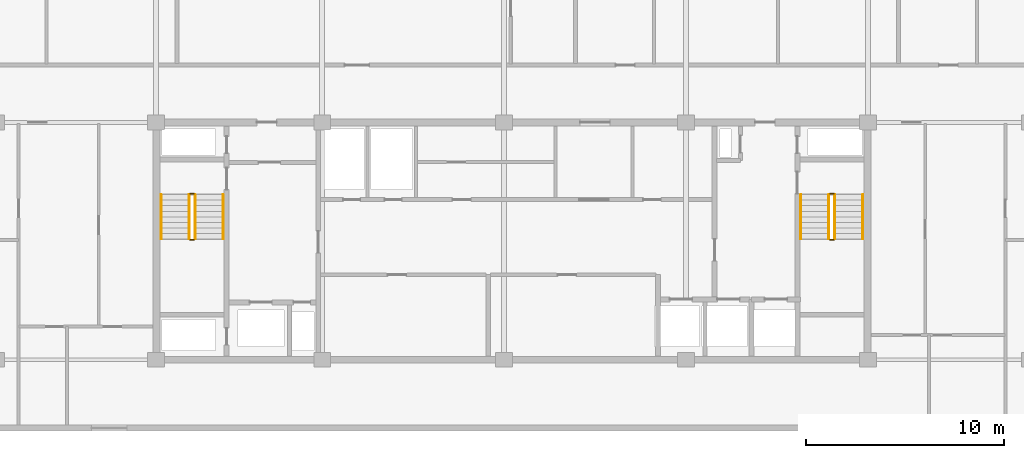
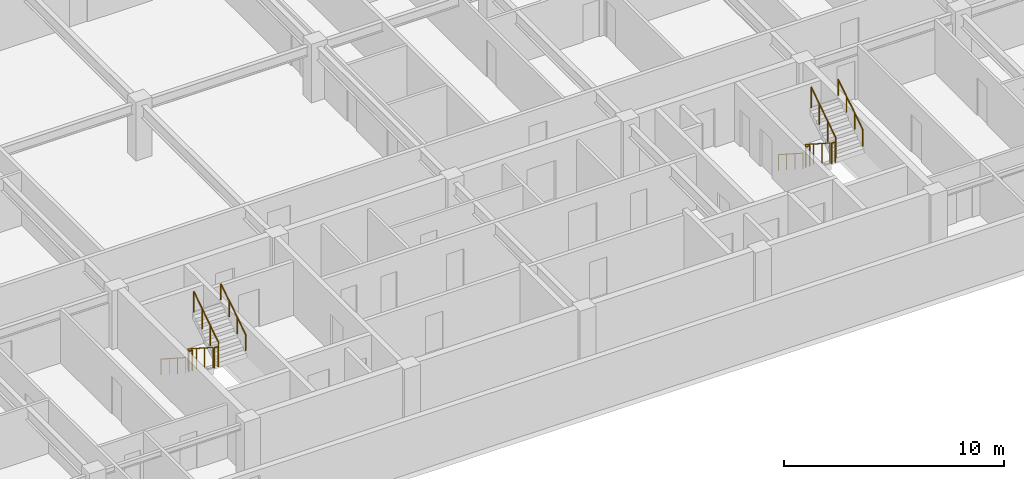
# One storey, part 9 of 10: 12 railings.
"""IFC4 building model written with IfcOpenShell, lengths in metres."""

from ifc_helpers import new_model, si_unit, direction, frame, origin, origin_2d, place, context, subcontext, project, spatial, circle, extrude, material, type_object, element, save


model = new_model("IFC4")

# Units and contexts
model_context = context("Model", 3, precision=1e-05, world=origin(), true_north=direction((0.0, 1.0)))
body_context = subcontext(model_context, "Body", "Model", "MODEL_VIEW")
ifc_project = project(units=[si_unit("LENGTHUNIT", "METRE"), si_unit("AREAUNIT", "SQUARE_METRE"), si_unit("VOLUMEUNIT", "CUBIC_METRE"), si_unit("PLANEANGLEUNIT", "RADIAN"), si_unit("MASSUNIT", "GRAM", prefix="KILO")], contexts=[model_context])

# Site, building, storey
site_placement = place(None, origin())
site = spatial("IfcSite", under=ifc_project, at=site_placement, CompositionType="ELEMENT")
building_placement = place(site_placement, origin())
building = spatial("IfcBuilding", under=site, at=building_placement, Name="Korimba Cascade Residences", CompositionType="ELEMENT")
storey_placement = place(building_placement, frame((0.0, 0.0, 214.10009765625)))
storey = spatial("IfcBuildingStorey", under=building, at=storey_placement, Name="L62", CompositionType="ELEMENT", Elevation=214.10009765625)

# Railings
ifc_material_1 = material(Name="Painted Steel Stairwell Guardrail", Category="steel")
railing_type_1 = type_object("IfcRailingType", Name="RLG-ST-GD1150", PredefinedType="GUARDRAIL", material=ifc_material_1)
railing_1_placement = place(storey_placement, frame((77.77001953125, 63.550048828125, 0.180419921875)))
element("IfcRailing", 1, at=railing_1_placement, inside=storey, type_object=railing_type_1, Name="L62 ST-W1 stair guard 1", PredefinedType="GUARDRAIL", context=body_context, shape_type="SweptSolid", body=[
    extrude(circle(Radius=0.02392578125, at=origin_2d()), frame((0.0, 0.0, 1.1259765625), z_axis=(0.0, -0.840394893359, 0.541974559565), x_axis=(1.0, 0.0, 0.0)), (0.0, 0.0, 1.0), 2.665283203125),
    extrude(circle(Radius=0.02099609375, at=origin_2d()), origin(), (0.0, 0.0, 1.0), 1.101806640625),
    extrude(circle(Radius=0.02099609375, at=origin_2d()), frame((0.0, -0.74658203125, 0.4814453125)), (0.0, 0.0, 1.0), 1.101806640625),
    extrude(circle(Radius=0.02099609375, at=origin_2d()), frame((0.0, -1.493408203125, 0.963134765625)), (0.0, 0.0, 1.0), 1.101806640625),
    extrude(circle(Radius=0.02099609375, at=origin_2d()), frame((0.0, -2.239990234375, 1.444580078125)), (0.0, 0.0, 1.0), 1.101806640625),
])
railing_2_placement = place(storey_placement, frame((77.820068359375, 61.260009765625, 1.625)))
element("IfcRailing", 2, at=railing_2_placement, inside=storey, type_object=railing_type_1, Name="L62 ST-W1 stair guard 2", PredefinedType="GUARDRAIL", context=body_context, shape_type="SweptSolid", body=[
    extrude(circle(Radius=0.02392578125, at=origin_2d()), frame((0.0, 0.0, 1.1259765625), z_axis=(1.0, 0.0, 0.0), x_axis=(0.0, 1.0, 0.0)), (0.0, 0.0, 1.0), 0.199951171875),
    extrude(circle(Radius=0.02099609375, at=origin_2d()), origin(), (0.0, 0.0, 1.0), 1.101806640625),
    extrude(circle(Radius=0.02099609375, at=origin_2d()), frame((0.199951171875, 0.0, 0.0)), (0.0, 0.0, 1.0), 1.101806640625),
])
railing_3_placement = place(storey_placement, frame((78.070068359375, 61.31005859375, 1.805419921875)))
element("IfcRailing", 3, at=railing_3_placement, inside=storey, type_object=railing_type_1, Name="L62 ST-W1 stair guard 3", PredefinedType="GUARDRAIL", context=body_context, shape_type="SweptSolid", body=[
    extrude(circle(Radius=0.02392578125, at=origin_2d()), frame((0.0, 0.0, 1.1259765625), z_axis=(0.0, 0.840394893359, 0.541974559565), x_axis=(-1.0, 0.0, 0.0)), (0.0, 0.0, 1.0), 2.665283203125),
    extrude(circle(Radius=0.02099609375, at=origin_2d()), origin(), (0.0, 0.0, 1.0), 1.101806640625),
    extrude(circle(Radius=0.02099609375, at=origin_2d()), frame((0.0, 0.74658203125, 0.4814453125)), (0.0, 0.0, 1.0), 1.101806640625),
    extrude(circle(Radius=0.02099609375, at=origin_2d()), frame((0.0, 1.493408203125, 0.963134765625)), (0.0, 0.0, 1.0), 1.101806640625),
    extrude(circle(Radius=0.02099609375, at=origin_2d()), frame((0.0, 2.239990234375, 1.444580078125)), (0.0, 0.0, 1.0), 1.101806640625),
])
railing_4_placement = place(storey_placement, frame((77.820068359375, 63.60009765625, 0.0)))
element("IfcRailing", 4, at=railing_4_placement, inside=storey, type_object=railing_type_1, Name="L62 ST-W1 stair guard 4", PredefinedType="GUARDRAIL", context=body_context, shape_type="SweptSolid", body=[
    extrude(circle(Radius=0.02392578125, at=origin_2d()), frame((0.0, 0.0, 1.1259765625), z_axis=(1.0, 0.0, 0.0), x_axis=(0.0, 1.0, 0.0)), (0.0, 0.0, 1.0), 0.199951171875),
    extrude(circle(Radius=0.02099609375, at=origin_2d()), origin(), (0.0, 0.0, 1.0), 1.101806640625),
    extrude(circle(Radius=0.02099609375, at=origin_2d()), frame((0.199951171875, 0.0, 0.0)), (0.0, 0.0, 1.0), 1.101806640625),
])
railing_5_placement = place(storey_placement, frame((110.1298828125, 63.550048828125, 0.180419921875)))
element("IfcRailing", 5, at=railing_5_placement, inside=storey, type_object=railing_type_1, Name="L62 ST-W2 stair guard 1", PredefinedType="GUARDRAIL", context=body_context, shape_type="SweptSolid", body=[
    extrude(circle(Radius=0.02392578125, at=origin_2d()), frame((0.0, 0.0, 1.1259765625), z_axis=(0.0, -0.840394893359, 0.541974559565), x_axis=(1.0, 0.0, 0.0)), (0.0, 0.0, 1.0), 2.665283203125),
    extrude(circle(Radius=0.02099609375, at=origin_2d()), origin(), (0.0, 0.0, 1.0), 1.101806640625),
    extrude(circle(Radius=0.02099609375, at=origin_2d()), frame((0.0, -0.74658203125, 0.4814453125)), (0.0, 0.0, 1.0), 1.101806640625),
    extrude(circle(Radius=0.02099609375, at=origin_2d()), frame((0.0, -1.493408203125, 0.963134765625)), (0.0, 0.0, 1.0), 1.101806640625),
    extrude(circle(Radius=0.02099609375, at=origin_2d()), frame((0.0, -2.239990234375, 1.444580078125)), (0.0, 0.0, 1.0), 1.101806640625),
])
railing_6_placement = place(storey_placement, frame((110.179931640625, 61.260009765625, 1.625)))
element("IfcRailing", 6, at=railing_6_placement, inside=storey, type_object=railing_type_1, Name="L62 ST-W2 stair guard 2", PredefinedType="GUARDRAIL", context=body_context, shape_type="SweptSolid", body=[
    extrude(circle(Radius=0.02392578125, at=origin_2d()), frame((0.0, 0.0, 1.1259765625), z_axis=(1.0, 0.0, 0.0), x_axis=(0.0, 1.0, 0.0)), (0.0, 0.0, 1.0), 0.199951171875),
    extrude(circle(Radius=0.02099609375, at=origin_2d()), origin(), (0.0, 0.0, 1.0), 1.101806640625),
    extrude(circle(Radius=0.02099609375, at=origin_2d()), frame((0.199951171875, 0.0, 0.0)), (0.0, 0.0, 1.0), 1.101806640625),
])
railing_7_placement = place(storey_placement, frame((110.429931640625, 61.31005859375, 1.805419921875)))
element("IfcRailing", 7, at=railing_7_placement, inside=storey, type_object=railing_type_1, Name="L62 ST-W2 stair guard 3", PredefinedType="GUARDRAIL", context=body_context, shape_type="SweptSolid", body=[
    extrude(circle(Radius=0.02392578125, at=origin_2d()), frame((0.0, 0.0, 1.1259765625), z_axis=(0.0, 0.840394893359, 0.541974559565), x_axis=(-1.0, 0.0, 0.0)), (0.0, 0.0, 1.0), 2.665283203125),
    extrude(circle(Radius=0.02099609375, at=origin_2d()), origin(), (0.0, 0.0, 1.0), 1.101806640625),
    extrude(circle(Radius=0.02099609375, at=origin_2d()), frame((0.0, 0.74658203125, 0.4814453125)), (0.0, 0.0, 1.0), 1.101806640625),
    extrude(circle(Radius=0.02099609375, at=origin_2d()), frame((0.0, 1.493408203125, 0.963134765625)), (0.0, 0.0, 1.0), 1.101806640625),
    extrude(circle(Radius=0.02099609375, at=origin_2d()), frame((0.0, 2.239990234375, 1.444580078125)), (0.0, 0.0, 1.0), 1.101806640625),
])
railing_8_placement = place(storey_placement, frame((110.179931640625, 63.60009765625, 0.0)))
element("IfcRailing", 8, at=railing_8_placement, inside=storey, type_object=railing_type_1, Name="L62 ST-W2 stair guard 4", PredefinedType="GUARDRAIL", context=body_context, shape_type="SweptSolid", body=[
    extrude(circle(Radius=0.02392578125, at=origin_2d()), frame((0.0, 0.0, 1.1259765625), z_axis=(1.0, 0.0, 0.0), x_axis=(0.0, 1.0, 0.0)), (0.0, 0.0, 1.0), 0.199951171875),
    extrude(circle(Radius=0.02099609375, at=origin_2d()), origin(), (0.0, 0.0, 1.0), 1.101806640625),
    extrude(circle(Radius=0.02099609375, at=origin_2d()), frame((0.199951171875, 0.0, 0.0)), (0.0, 0.0, 1.0), 1.101806640625),
])
ifc_material_2 = material(Name="Brushed Stainless Steel Handrail", Category="steel")
railing_type_2 = type_object("IfcRailingType", Name="RLG-ST-HR900", PredefinedType="HANDRAIL", material=ifc_material_2)
railing_9_placement = place(storey_placement, frame((76.35009765625, 63.550048828125, 0.36474609375)))
element("IfcRailing", 9, at=railing_9_placement, inside=storey, type_object=railing_type_2, Name="L62 ST-W1 stair handrail 1", PredefinedType="HANDRAIL", context=body_context, shape_type="SweptSolid", body=[
    extrude(circle(Radius=0.02392578125, at=origin_2d()), frame((0.0, 0.0, 0.8759765625), z_axis=(0.0, -0.840394893359, 0.541974559565), x_axis=(1.0, 0.0, 0.0)), (0.0, 0.0, 1.0), 2.665283203125),
    extrude(circle(Radius=0.02099609375, at=origin_2d()), origin(), (0.0, 0.0, 1.0), 0.851806640625),
    extrude(circle(Radius=0.02099609375, at=origin_2d()), frame((0.0, -0.74658203125, 0.4814453125)), (0.0, 0.0, 1.0), 0.851806640625),
    extrude(circle(Radius=0.02099609375, at=origin_2d()), frame((0.0, -1.493408203125, 0.963134765625)), (0.0, 0.0, 1.0), 0.851806640625),
    extrude(circle(Radius=0.02099609375, at=origin_2d()), frame((0.0, -2.239990234375, 1.444580078125)), (0.0, 0.0, 1.0), 0.851806640625),
])
railing_10_placement = place(storey_placement, frame((79.489990234375, 61.31005859375, 1.98974609375)))
element("IfcRailing", 10, at=railing_10_placement, inside=storey, type_object=railing_type_2, Name="L62 ST-W1 stair handrail 2", PredefinedType="HANDRAIL", context=body_context, shape_type="SweptSolid", body=[
    extrude(circle(Radius=0.02392578125, at=origin_2d()), frame((0.0, 0.0, 0.8759765625), z_axis=(0.0, 0.840394893359, 0.541974559565), x_axis=(-1.0, 0.0, 0.0)), (0.0, 0.0, 1.0), 2.665283203125),
    extrude(circle(Radius=0.02099609375, at=origin_2d()), origin(), (0.0, 0.0, 1.0), 0.851806640625),
    extrude(circle(Radius=0.02099609375, at=origin_2d()), frame((0.0, 0.74658203125, 0.4814453125)), (0.0, 0.0, 1.0), 0.851806640625),
    extrude(circle(Radius=0.02099609375, at=origin_2d()), frame((0.0, 1.493408203125, 0.963134765625)), (0.0, 0.0, 1.0), 0.851806640625),
    extrude(circle(Radius=0.02099609375, at=origin_2d()), frame((0.0, 2.239990234375, 1.444580078125)), (0.0, 0.0, 1.0), 0.851806640625),
])
railing_11_placement = place(storey_placement, frame((108.7099609375, 63.550048828125, 0.36474609375)))
element("IfcRailing", 11, at=railing_11_placement, inside=storey, type_object=railing_type_2, Name="L62 ST-W2 stair handrail 1", PredefinedType="HANDRAIL", context=body_context, shape_type="SweptSolid", body=[
    extrude(circle(Radius=0.02392578125, at=origin_2d()), frame((0.0, 0.0, 0.8759765625), z_axis=(0.0, -0.840394893359, 0.541974559565), x_axis=(1.0, 0.0, 0.0)), (0.0, 0.0, 1.0), 2.665283203125),
    extrude(circle(Radius=0.02099609375, at=origin_2d()), origin(), (0.0, 0.0, 1.0), 0.851806640625),
    extrude(circle(Radius=0.02099609375, at=origin_2d()), frame((0.0, -0.74658203125, 0.4814453125)), (0.0, 0.0, 1.0), 0.851806640625),
    extrude(circle(Radius=0.02099609375, at=origin_2d()), frame((0.0, -1.493408203125, 0.963134765625)), (0.0, 0.0, 1.0), 0.851806640625),
    extrude(circle(Radius=0.02099609375, at=origin_2d()), frame((0.0, -2.239990234375, 1.444580078125)), (0.0, 0.0, 1.0), 0.851806640625),
])
railing_12_placement = place(storey_placement, frame((111.85009765625, 61.31005859375, 1.98974609375)))
element("IfcRailing", 12, at=railing_12_placement, inside=storey, type_object=railing_type_2, Name="L62 ST-W2 stair handrail 2", PredefinedType="HANDRAIL", context=body_context, shape_type="SweptSolid", body=[
    extrude(circle(Radius=0.02392578125, at=origin_2d()), frame((0.0, 0.0, 0.8759765625), z_axis=(0.0, 0.840394893359, 0.541974559565), x_axis=(-1.0, 0.0, 0.0)), (0.0, 0.0, 1.0), 2.665283203125),
    extrude(circle(Radius=0.02099609375, at=origin_2d()), origin(), (0.0, 0.0, 1.0), 0.851806640625),
    extrude(circle(Radius=0.02099609375, at=origin_2d()), frame((0.0, 0.74658203125, 0.4814453125)), (0.0, 0.0, 1.0), 0.851806640625),
    extrude(circle(Radius=0.02099609375, at=origin_2d()), frame((0.0, 1.493408203125, 0.963134765625)), (0.0, 0.0, 1.0), 0.851806640625),
    extrude(circle(Radius=0.02099609375, at=origin_2d()), frame((0.0, 2.239990234375, 1.444580078125)), (0.0, 0.0, 1.0), 0.851806640625),
])

save(model, "model.ifc")
